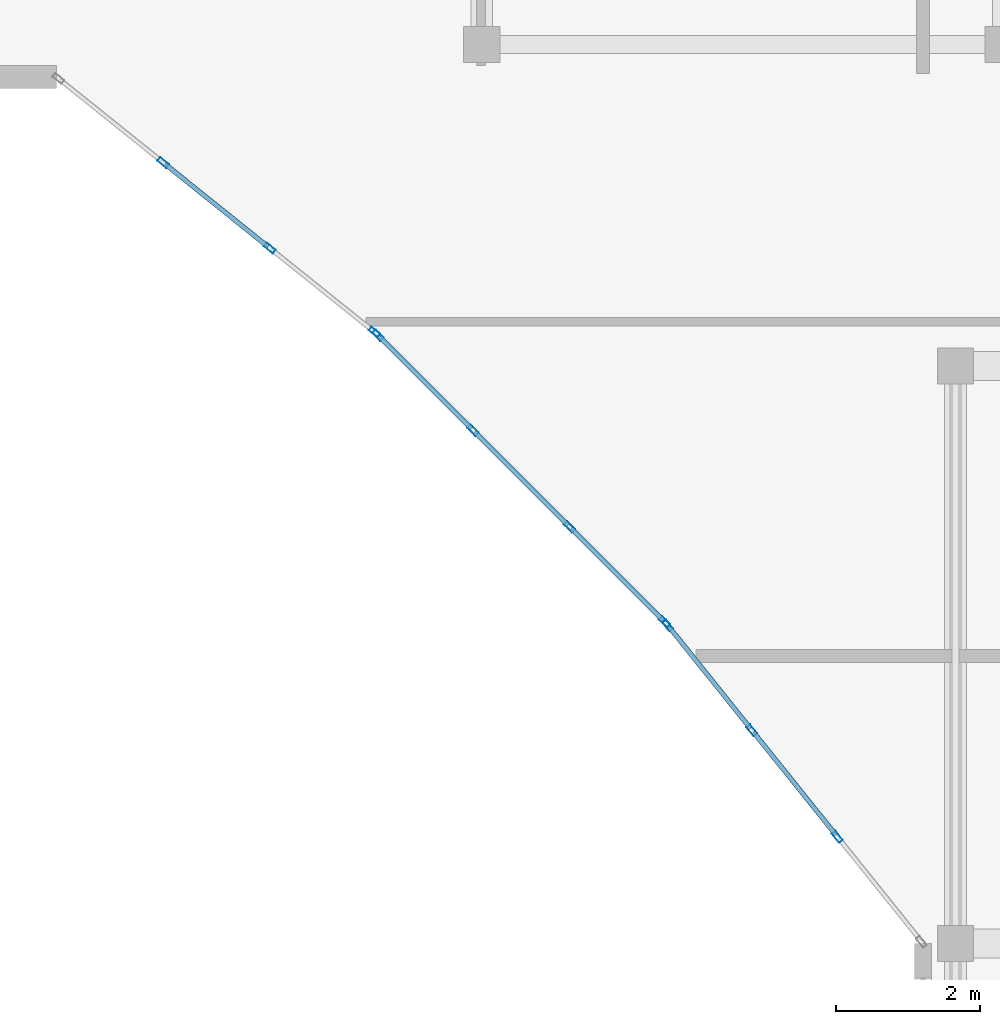
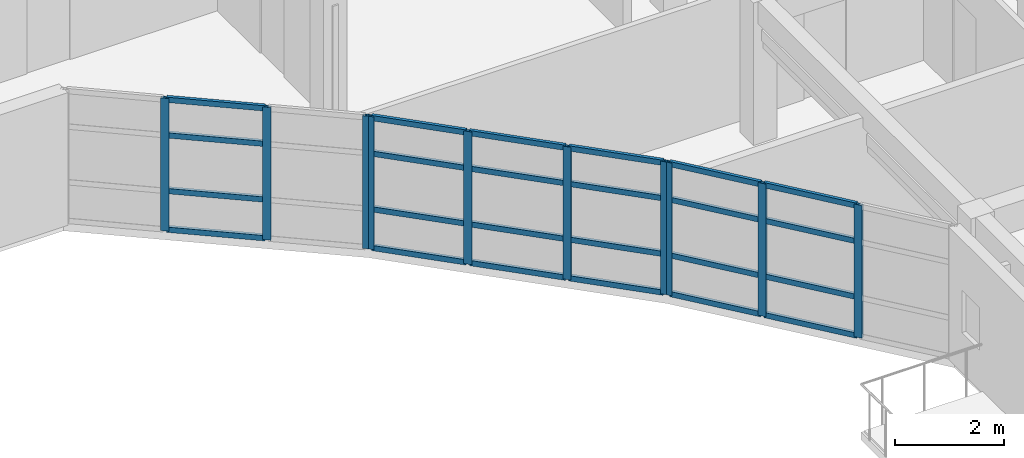
# One storey, part 12 of 39: 34 members, 3 elements without a shape of their own.
"""IFC4 building model written with IfcOpenShell, lengths in metres."""

import ifcopenshell
import ifcopenshell.guid

model = None  # the IFC model being written
_history = None  # IfcOwnerHistory: only IFC2X3 demands one
_inside = {}  # id of a spatial element -> (the spatial element, [elements in it])
_under = {}  # id of a project, library or spatial element -> (it, [spatial elements below it])
_declared = {}  # id of a project -> (the project, [libraries it declares])
_typed = {}  # id of a type object -> (the type object, [elements of that type])
_made_of = {}  # id of a material, layer set ... -> (it, [elements and type objects made of it])


def new_model(schema):
    """Start an empty IFC model of exactly this schema.

    Asked for "IFC4X3", IfcOpenShell would pick the latest addendum, in which some entities
    have other attributes; the version numbers below select the first issue.
    IFC2X3 requires an IfcOwnerHistory on every rooted entity: one is made here for all.
    """
    global model, _history
    if schema == "IFC4X3":
        model = ifcopenshell.file(schema_version=(4, 3, 0, 0))
    else:
        model = ifcopenshell.file(schema=schema)
    _inside.clear()
    _under.clear()
    _declared.clear()
    _typed.clear()
    _made_of.clear()
    _history = None
    if model.schema == "IFC2X3":
        org = make("IfcOrganization", Name="unknown")
        user = make(
            "IfcPersonAndOrganization",
            ThePerson=make("IfcPerson", FamilyName="unknown"),
            TheOrganization=org,
        )
        app = make(
            "IfcApplication",
            ApplicationDeveloper=org,
            Version="unknown",
            ApplicationFullName="unknown",
            ApplicationIdentifier="unknown",
        )
        _history = make(
            "IfcOwnerHistory",
            OwningUser=user,
            OwningApplication=app,
            ChangeAction="ADDED",
            CreationDate=0,
        )
    return model


def make(cls, **values):
    """One entity of the class cls with the attributes given. An attribute that is None is left unset."""
    return model.create_entity(
        cls, **{name: value for name, value in values.items() if value is not None}
    )


def rooted(cls, **values):
    """An entity with a GlobalId (a new one), such as an element, a storey or a relation."""
    return make(cls, GlobalId=ifcopenshell.guid.new(), OwnerHistory=_history, **values)


def si_unit(unit_type, name, prefix=None):
    """IfcSIUnit, for example si_unit("LENGTHUNIT", "METRE", prefix="MILLI")."""
    return make("IfcSIUnit", UnitType=unit_type, Prefix=prefix, Name=name)


def assignment(units):
    """IfcUnitAssignment: the units of a project."""
    return None if units is None else make("IfcUnitAssignment", Units=units)


def point(xyz):
    """IfcCartesianPoint."""
    return None if xyz is None else make("IfcCartesianPoint", Coordinates=xyz)


def direction(xyz):
    """IfcDirection."""
    return None if xyz is None else make("IfcDirection", DirectionRatios=xyz)


def frame(location, z_axis=None, x_axis=None):
    """IfcAxis2Placement3D, a coordinate frame: its origin and axes. An axis left out is left unset."""
    return make(
        "IfcAxis2Placement3D",
        Location=point(location),
        Axis=direction(z_axis),
        RefDirection=direction(x_axis),
    )


def frame_2d(location, x_axis=None):
    """IfcAxis2Placement2D, a coordinate frame in the plane: its origin and x axis."""
    return make(
        "IfcAxis2Placement2D", Location=point(location), RefDirection=direction(x_axis)
    )


def origin():
    """The frame at (0, 0, 0) with its axes left unset."""
    return frame((0.0, 0.0, 0.0))


def origin_2d():
    """The frame at (0, 0) in the plane with its x axis left unset."""
    return frame_2d((0.0, 0.0))


def place(relative_to, where):
    """IfcLocalPlacement: puts the frame where relative to a parent placement (None: the world)."""
    return make(
        "IfcLocalPlacement", PlacementRelTo=relative_to, RelativePlacement=where
    )


def context(
    kind, dimensions, precision=None, world=None, true_north=None, identifier=None
):
    """IfcGeometricRepresentationContext, for example the 3D "Model" context."""
    return make(
        "IfcGeometricRepresentationContext",
        ContextIdentifier=identifier,
        ContextType=kind,
        CoordinateSpaceDimension=dimensions,
        Precision=precision,
        WorldCoordinateSystem=world,
        TrueNorth=true_north,
    )


def subcontext(parent, identifier, kind, view, scale=None):
    """IfcGeometricRepresentationSubContext, for example "Body" below "Model"."""
    return make(
        "IfcGeometricRepresentationSubContext",
        ContextIdentifier=identifier,
        ContextType=kind,
        ParentContext=parent,
        TargetScale=scale,
        TargetView=view,
    )


def project(units=None, contexts=None):
    """IfcProject with its units and contexts."""
    return rooted(
        "IfcProject",
        Name="project",
        RepresentationContexts=contexts,
        UnitsInContext=assignment(units),
    )


def spatial(cls, under=None, at=None, **own):
    """A site, building, storey or space (cls), placed at a placement, below another one or the project."""
    s = rooted(cls, ObjectPlacement=at, **own)
    if under is not None:
        _under.setdefault(under.id(), (under, []))[1].append(s)
    return s


def profile(cls, at=None, kind="AREA", **sizes):
    """A parametric profile (cls). Its sizes go by their IFC names, for example OverallWidth=200.0."""
    return make(cls, ProfileType=kind, Position=at, **sizes)


def hollow_rectangle(**sizes):
    """IfcRectangleHollowProfileDef."""
    return profile("IfcRectangleHollowProfileDef", **sizes)


def extrude(swept, where, along, depth):
    """IfcExtrudedAreaSolid: the profile swept, set in the frame where, extruded along a direction by depth."""
    return make(
        "IfcExtrudedAreaSolid",
        SweptArea=swept,
        Position=where,
        ExtrudedDirection=direction(along),
        Depth=depth,
    )


def shape(context_of_items, identifier, shape_type, items):
    """IfcShapeRepresentation: the items that make up one representation, for example the "Body"."""
    return make(
        "IfcShapeRepresentation",
        ContextOfItems=context_of_items,
        RepresentationIdentifier=identifier,
        RepresentationType=shape_type,
        Items=items,
    )


def material(Name=None, Category=None):
    """IfcMaterial."""
    return make("IfcMaterial", Name=Name, Category=Category)


def layer(
    of_material, thickness, ventilated=None, Name=None, Category=None, Priority=None
):
    """IfcMaterialLayer: one layer of a wall or slab, of a material (None: an air gap)."""
    return make(
        "IfcMaterialLayer",
        Material=of_material,
        LayerThickness=thickness,
        IsVentilated=ventilated,
        Name=Name,
        Category=Category,
        Priority=Priority,
    )


def layer_set(layers, Name=None):
    """IfcMaterialLayerSet."""
    return make("IfcMaterialLayerSet", MaterialLayers=layers, LayerSetName=Name)


def material_profile(
    of_material, cross_section, Name=None, Category=None, Priority=None
):
    """IfcMaterialProfile: a cross section and its material."""
    return make(
        "IfcMaterialProfile",
        Name=Name,
        Material=of_material,
        Profile=cross_section,
        Priority=Priority,
        Category=Category,
    )


def profile_set(profiles, Name=None, composite=None):
    """IfcMaterialProfileSet."""
    return make(
        "IfcMaterialProfileSet",
        Name=Name,
        MaterialProfiles=profiles,
        CompositeProfile=composite,
    )


def made_of(thing, what):
    """Note that an element or type object is made of a material, layer set ...; save() writes the relation."""
    if what is not None:
        _made_of.setdefault(what.id(), (what, []))[1].append(thing)
    return thing


def type_object(cls, material=None, **own):
    """A type object (cls), such as IfcWallType, which elements share."""
    return made_of(rooted(cls, **own), material)


def element(
    cls,
    number,
    at=None,
    inside=None,
    cuts=None,
    type_object=None,
    material=None,
    context=None,
    identifier="Body",
    shape_type=None,
    held_by="IfcProductDefinitionShape",
    body=None,
    shapes=None,
    **own,
):
    """One element of the class cls, such as IfcWall. Its Tag is "e" and its number.

    at: its placement. inside: the storey or other place that contains it. cuts: it is an
    opening in that element (IfcRelVoidsElement). A single representation is given by context,
    identifier, shape_type and body (its items); several are given by shapes. held_by: the class
    of the entity that holds the representations. save() writes the other relations.
    """
    e = rooted(cls, Tag="e%d" % number, ObjectPlacement=at, **own)
    if body is not None:
        shapes = [shape(context, identifier, shape_type, body)]
    if shapes is not None:
        e.Representation = make(held_by, Representations=shapes)
    if inside is not None:
        _inside.setdefault(inside.id(), (inside, []))[1].append(e)
    if cuts is not None:
        rooted(
            "IfcRelVoidsElement", RelatingBuildingElement=cuts, RelatedOpeningElement=e
        )
    if type_object is not None:
        _typed.setdefault(type_object.id(), (type_object, []))[1].append(e)
    return made_of(e, material)


def aggregate(whole, parts):
    """IfcRelAggregates: a whole, such as a stair, and the parts it consists of."""
    return rooted("IfcRelAggregates", RelatingObject=whole, RelatedObjects=parts)


def save(model, path):
    """Write the relations noted so far, then the file.

    IfcRelAggregates (storeys below a building ...), IfcRelContainedInSpatialStructure (elements
    in a storey), IfcRelDefinesByType, IfcRelAssociatesMaterial and IfcRelDeclares: one each for
    every whole, place, type object, material and project.
    """
    for whole, parts in _under.values():
        aggregate(whole, parts)
    for where, things in _inside.values():
        rooted(
            "IfcRelContainedInSpatialStructure",
            RelatedElements=things,
            RelatingStructure=where,
        )
    for kind, things in _typed.values():
        rooted("IfcRelDefinesByType", RelatedObjects=things, RelatingType=kind)
    for what, things in _made_of.values():
        rooted("IfcRelAssociatesMaterial", RelatedObjects=things, RelatingMaterial=what)
    for by, libraries in _declared.values():
        rooted("IfcRelDeclares", RelatingContext=by, RelatedDefinitions=libraries)
    model.write(path)


model = new_model("IFC4")

# Units and contexts
model_context = context("Model", 3, precision=1e-05, world=origin(), true_north=direction((0.0, 1.0)))
body_context = subcontext(model_context, "Body", "Model", "MODEL_VIEW")
ifc_project = project(units=[si_unit("LENGTHUNIT", "METRE"), si_unit("AREAUNIT", "SQUARE_METRE"), si_unit("VOLUMEUNIT", "CUBIC_METRE"), si_unit("PLANEANGLEUNIT", "RADIAN"), si_unit("MASSUNIT", "GRAM", prefix="KILO")], contexts=[model_context])

# Site, building, storey
site_placement = place(None, origin())
site = spatial("IfcSite", under=ifc_project, at=site_placement, CompositionType="ELEMENT")
building_placement = place(site_placement, origin())
building = spatial("IfcBuilding", under=site, at=building_placement, Name="Keldmere Railside Commons", CompositionType="ELEMENT")
storey_placement = place(building_placement, frame((0.0, 0.0, 32.9599609375)))
storey = spatial("IfcBuildingStorey", under=building, at=storey_placement, Name="L10", CompositionType="ELEMENT", Elevation=32.9599609375)

# Curtain wall, members
ifc_material = material(Name="Thermally Broken Aluminium", Category="aluminium")
ifc_layer_1 = layer(ifc_material, 0.159912109375, Name="Court Chord Wintergarden CW 5400x2850")
ifc_layer_set_1 = layer_set([ifc_layer_1], Name="Thermally Broken Aluminium")
curtain_wall_type_1 = type_object("IfcCurtainWallType", Name="Court Chord Wintergarden CW 5400x2850", PredefinedType="NOTDEFINED", material=ifc_layer_set_1)
curtain_wall_1_placement = place(storey_placement, origin())
curtain_wall_1 = element("IfcCurtainWall", 1, at=curtain_wall_1_placement, inside=storey, type_object=curtain_wall_type_1, Name="CW-13 CW-L10-187", PredefinedType="NOTDEFINED")
ifc_material_profile_1 = material_profile(ifc_material, hollow_rectangle(XDim=0.06494140625, YDim=0.159912109375, WallThickness=0.00390625, at=origin_2d()), Name="ALU-MULL-65x160")
ifc_profile_set_1 = profile_set([ifc_material_profile_1], Name="Thermally Broken Aluminium")
member_type_1 = type_object("IfcMemberType", Name="Unitised Curtain Wall Mullion 65x160", PredefinedType="MULLION", material=ifc_profile_set_1)
member_1_placement = place(storey_placement, frame((160.404541015625, 96.46630859375, 0.0), z_axis=(0.0, 0.0, 1.0), x_axis=(-0.625768080915, -0.780009172323, 0.0)))
member_1 = element("IfcMember", 2, at=member_1_placement, type_object=member_type_1, Name="CW-13 mullion 1", PredefinedType="MULLION", context=body_context, shape_type="SweptSolid", body=[
    extrude(hollow_rectangle(XDim=0.06494140625, YDim=0.159912109375, WallThickness=0.00390625, at=origin_2d()), origin(), (0.0, 0.0, 1.0), 2.97998046875),
])
member_2_placement = place(storey_placement, frame((158.953369140625, 97.630615234375, 0.0), z_axis=(0.0, 0.0, 1.0), x_axis=(-0.625768080915, -0.780009172323, 0.0)))
member_2 = element("IfcMember", 3, at=member_2_placement, type_object=member_type_1, Name="CW-13 mullion 2", PredefinedType="MULLION", context=body_context, shape_type="SweptSolid", body=[
    extrude(hollow_rectangle(XDim=0.06494140625, YDim=0.159912109375, WallThickness=0.00390625, at=origin_2d()), origin(), (0.0, 0.0, 1.0), 2.97998046875),
])
member_3_placement = place(storey_placement, frame((157.4765625, 98.8154296875, 0.0), z_axis=(0.0, 0.0, 1.0), x_axis=(-0.625768080915, -0.780009172323, 0.0)))
member_3 = element("IfcMember", 4, at=member_3_placement, type_object=member_type_1, Name="CW-13 mullion 3", PredefinedType="MULLION", context=body_context, shape_type="SweptSolid", body=[
    extrude(hollow_rectangle(XDim=0.06494140625, YDim=0.159912109375, WallThickness=0.00390625, at=origin_2d()), origin(), (0.0, 0.0, 1.0), 2.97998046875),
])

ifc_layer_2 = layer(ifc_material, 0.159912109375, Name="Court Chord Wintergarden CW 4800x2850")
ifc_layer_set_2 = layer_set([ifc_layer_2], Name="Thermally Broken Aluminium")
curtain_wall_type_2 = type_object("IfcCurtainWallType", Name="Court Chord Wintergarden CW 4800x2850", PredefinedType="NOTDEFINED", material=ifc_layer_set_2)
curtain_wall_2_placement = place(storey_placement, origin())
curtain_wall_2 = element("IfcCurtainWall", 5, at=curtain_wall_2_placement, inside=storey, type_object=curtain_wall_type_2, Name="CW-12 CW-L10-188", PredefinedType="NOTDEFINED")
member_4_placement = place(storey_placement, frame((164.423095703125, 92.452880859375, 0.0), z_axis=(0.0, 0.0, 1.0), x_axis=(-0.707106781187, -0.707106781187, 0.0)))
member_4 = element("IfcMember", 6, at=member_4_placement, type_object=member_type_1, Name="CW-12 mullion 1", PredefinedType="MULLION", context=body_context, shape_type="SweptSolid", body=[
    extrude(hollow_rectangle(XDim=0.06494140625, YDim=0.159912109375, WallThickness=0.00390625, at=origin_2d()), origin(), (0.0, 0.0, 1.0), 2.97998046875),
])
member_5_placement = place(storey_placement, frame((163.107421875, 93.7685546875, 0.0), z_axis=(0.0, 0.0, 1.0), x_axis=(-0.707106781187, -0.707106781187, 0.0)))
member_5 = element("IfcMember", 7, at=member_5_placement, type_object=member_type_1, Name="CW-12 mullion 2", PredefinedType="MULLION", context=body_context, shape_type="SweptSolid", body=[
    extrude(hollow_rectangle(XDim=0.06494140625, YDim=0.159912109375, WallThickness=0.00390625, at=origin_2d()), origin(), (0.0, 0.0, 1.0), 2.97998046875),
])
member_6_placement = place(storey_placement, frame((161.7685546875, 95.107421875, 0.0), z_axis=(0.0, 0.0, 1.0), x_axis=(-0.707106781187, -0.707106781187, 0.0)))
member_6 = element("IfcMember", 8, at=member_6_placement, type_object=member_type_1, Name="CW-12 mullion 3", PredefinedType="MULLION", context=body_context, shape_type="SweptSolid", body=[
    extrude(hollow_rectangle(XDim=0.06494140625, YDim=0.159912109375, WallThickness=0.00390625, at=origin_2d()), origin(), (0.0, 0.0, 1.0), 2.97998046875),
])
member_7_placement = place(storey_placement, frame((160.452880859375, 96.423095703125, 0.0), z_axis=(0.0, 0.0, 1.0), x_axis=(-0.707106781187, -0.707106781187, 0.0)))
member_7 = element("IfcMember", 9, at=member_7_placement, type_object=member_type_1, Name="CW-12 mullion 4", PredefinedType="MULLION", context=body_context, shape_type="SweptSolid", body=[
    extrude(hollow_rectangle(XDim=0.06494140625, YDim=0.159912109375, WallThickness=0.00390625, at=origin_2d()), origin(), (0.0, 0.0, 1.0), 2.97998046875),
])

curtain_wall_3_placement = place(storey_placement, origin())
curtain_wall_3 = element("IfcCurtainWall", 10, at=curtain_wall_3_placement, inside=storey, type_object=curtain_wall_type_1, Name="CW-13 CW-L10-189", PredefinedType="NOTDEFINED")
member_8_placement = place(storey_placement, frame((166.8154296875, 89.4765625, 0.0), z_axis=(0.0, 0.0, 1.0), x_axis=(-0.780009172323, -0.625768080915, 0.0)))
member_8 = element("IfcMember", 11, at=member_8_placement, type_object=member_type_1, Name="CW-13 mullion 2", PredefinedType="MULLION", context=body_context, shape_type="SweptSolid", body=[
    extrude(hollow_rectangle(XDim=0.06494140625, YDim=0.159912109375, WallThickness=0.00390625, at=origin_2d()), origin(), (0.0, 0.0, 1.0), 2.97998046875),
])
member_9_placement = place(storey_placement, frame((165.630615234375, 90.953369140625, 0.0), z_axis=(0.0, 0.0, 1.0), x_axis=(-0.780009172323, -0.625768080915, 0.0)))
member_9 = element("IfcMember", 12, at=member_9_placement, type_object=member_type_1, Name="CW-13 mullion 3", PredefinedType="MULLION", context=body_context, shape_type="SweptSolid", body=[
    extrude(hollow_rectangle(XDim=0.06494140625, YDim=0.159912109375, WallThickness=0.00390625, at=origin_2d()), origin(), (0.0, 0.0, 1.0), 2.97998046875),
])
member_10_placement = place(storey_placement, frame((164.46630859375, 92.404541015625, 0.0), z_axis=(0.0, 0.0, 1.0), x_axis=(-0.780009172323, -0.625768080915, 0.0)))
member_10 = element("IfcMember", 13, at=member_10_placement, type_object=member_type_1, Name="CW-13 mullion 4", PredefinedType="MULLION", context=body_context, shape_type="SweptSolid", body=[
    extrude(hollow_rectangle(XDim=0.06494140625, YDim=0.159912109375, WallThickness=0.00390625, at=origin_2d()), origin(), (0.0, 0.0, 1.0), 2.97998046875),
])

# Member
ifc_material_profile_2 = material_profile(ifc_material, hollow_rectangle(XDim=0.06494140625, YDim=0.1201171875, WallThickness=0.00390625, at=origin_2d()), Name="ALU-TRAN-65x120")
ifc_profile_set_2 = profile_set([ifc_material_profile_2], Name="Thermally Broken Aluminium")
member_type_2 = type_object("IfcMemberType", Name="Unitised Curtain Wall Transom 65x120", PredefinedType="USERDEFINED", material=ifc_profile_set_2)
member_11_placement = place(storey_placement, frame((158.927978515625, 97.651123046875, 0.032470703125), z_axis=(-0.78007338409, 0.625688033635, 0.0), x_axis=(-0.625688033635, -0.78007338409, 0.0)))
member_11 = element("IfcMember", 14, at=member_11_placement, type_object=member_type_2, Name="CW-13 transom 2.1", ObjectType="TRANSOM", PredefinedType="USERDEFINED", context=body_context, shape_type="SweptSolid", body=[
    extrude(hollow_rectangle(XDim=0.06494140625, YDim=0.1201171875, WallThickness=0.00390625, at=origin_2d()), origin(), (0.0, 0.0, 1.0), 1.828125),
])

member_12_placement = place(storey_placement, frame((158.927978515625, 97.651123046875, 0.900146484375), z_axis=(-0.78007338409, 0.625688033635, 0.0), x_axis=(-0.625688033635, -0.78007338409, 0.0)))
member_12 = element("IfcMember", 15, at=member_12_placement, type_object=member_type_2, Name="CW-13 transom 2.2", ObjectType="TRANSOM", PredefinedType="USERDEFINED", context=body_context, shape_type="SweptSolid", body=[
    extrude(hollow_rectangle(XDim=0.06494140625, YDim=0.1201171875, WallThickness=0.00390625, at=origin_2d()), origin(), (0.0, 0.0, 1.0), 1.828125),
])

member_13_placement = place(storey_placement, frame((158.927978515625, 97.651123046875, 2.150146484375), z_axis=(-0.78007338409, 0.625688033635, 0.0), x_axis=(-0.625688033635, -0.78007338409, 0.0)))
member_13 = element("IfcMember", 16, at=member_13_placement, type_object=member_type_2, Name="CW-13 transom 2.3", ObjectType="TRANSOM", PredefinedType="USERDEFINED", context=body_context, shape_type="SweptSolid", body=[
    extrude(hollow_rectangle(XDim=0.06494140625, YDim=0.1201171875, WallThickness=0.00390625, at=origin_2d()), origin(), (0.0, 0.0, 1.0), 1.828125),
])

member_14_placement = place(storey_placement, frame((158.927978515625, 97.651123046875, 2.947509765625), z_axis=(-0.78007338409, 0.625688033635, 0.0), x_axis=(-0.625688033635, -0.78007338409, 0.0)))
member_14 = element("IfcMember", 17, at=member_14_placement, type_object=member_type_2, Name="CW-13 transom 2.4", ObjectType="TRANSOM", PredefinedType="USERDEFINED", context=body_context, shape_type="SweptSolid", body=[
    extrude(hollow_rectangle(XDim=0.06494140625, YDim=0.1201171875, WallThickness=0.00390625, at=origin_2d()), origin(), (0.0, 0.0, 1.0), 1.828125),
])

aggregate(curtain_wall_1, [member_1, member_2, member_3, member_11, member_12, member_13, member_14])

member_15_placement = place(storey_placement, frame((164.400146484375, 92.47607421875, 0.032470703125), z_axis=(-0.707174762418, 0.707038793419, 0.0), x_axis=(-0.707038793419, -0.707174762418, 0.0)))
member_15 = element("IfcMember", 18, at=member_15_placement, type_object=member_type_2, Name="CW-12 transom 1.1", ObjectType="TRANSOM", PredefinedType="USERDEFINED", context=body_context, shape_type="SweptSolid", body=[
    extrude(hollow_rectangle(XDim=0.06494140625, YDim=0.1201171875, WallThickness=0.00390625, at=origin_2d()), origin(), (0.0, 0.0, 1.0), 1.795654296875),
])

member_16_placement = place(storey_placement, frame((164.400146484375, 92.47607421875, 0.900146484375), z_axis=(-0.707174762418, 0.707038793419, 0.0), x_axis=(-0.707038793419, -0.707174762418, 0.0)))
member_16 = element("IfcMember", 19, at=member_16_placement, type_object=member_type_2, Name="CW-12 transom 1.2", ObjectType="TRANSOM", PredefinedType="USERDEFINED", context=body_context, shape_type="SweptSolid", body=[
    extrude(hollow_rectangle(XDim=0.06494140625, YDim=0.1201171875, WallThickness=0.00390625, at=origin_2d()), origin(), (0.0, 0.0, 1.0), 1.795654296875),
])

member_17_placement = place(storey_placement, frame((164.400146484375, 92.47607421875, 2.150146484375), z_axis=(-0.707174762418, 0.707038793419, 0.0), x_axis=(-0.707038793419, -0.707174762418, 0.0)))
member_17 = element("IfcMember", 20, at=member_17_placement, type_object=member_type_2, Name="CW-12 transom 1.3", ObjectType="TRANSOM", PredefinedType="USERDEFINED", context=body_context, shape_type="SweptSolid", body=[
    extrude(hollow_rectangle(XDim=0.06494140625, YDim=0.1201171875, WallThickness=0.00390625, at=origin_2d()), origin(), (0.0, 0.0, 1.0), 1.795654296875),
])

member_18_placement = place(storey_placement, frame((164.400146484375, 92.47607421875, 2.947509765625), z_axis=(-0.707174762418, 0.707038793419, 0.0), x_axis=(-0.707038793419, -0.707174762418, 0.0)))
member_18 = element("IfcMember", 21, at=member_18_placement, type_object=member_type_2, Name="CW-12 transom 1.4", ObjectType="TRANSOM", PredefinedType="USERDEFINED", context=body_context, shape_type="SweptSolid", body=[
    extrude(hollow_rectangle(XDim=0.06494140625, YDim=0.1201171875, WallThickness=0.00390625, at=origin_2d()), origin(), (0.0, 0.0, 1.0), 1.795654296875),
])

member_19_placement = place(storey_placement, frame((163.08447265625, 93.791748046875, 0.032470703125), z_axis=(-0.707106781187, 0.707106781187, 0.0), x_axis=(-0.707106781187, -0.707106781187, 0.0)))
member_19 = element("IfcMember", 22, at=member_19_placement, type_object=member_type_2, Name="CW-12 transom 2.1", ObjectType="TRANSOM", PredefinedType="USERDEFINED", context=body_context, shape_type="SweptSolid", body=[
    extrude(hollow_rectangle(XDim=0.06494140625, YDim=0.1201171875, WallThickness=0.00390625, at=origin_2d()), origin(), (0.0, 0.0, 1.0), 1.828125),
])

member_20_placement = place(storey_placement, frame((163.08447265625, 93.791748046875, 0.900146484375), z_axis=(-0.707106781187, 0.707106781187, 0.0), x_axis=(-0.707106781187, -0.707106781187, 0.0)))
member_20 = element("IfcMember", 23, at=member_20_placement, type_object=member_type_2, Name="CW-12 transom 2.2", ObjectType="TRANSOM", PredefinedType="USERDEFINED", context=body_context, shape_type="SweptSolid", body=[
    extrude(hollow_rectangle(XDim=0.06494140625, YDim=0.1201171875, WallThickness=0.00390625, at=origin_2d()), origin(), (0.0, 0.0, 1.0), 1.828125),
])

member_21_placement = place(storey_placement, frame((163.08447265625, 93.791748046875, 2.150146484375), z_axis=(-0.707106781187, 0.707106781187, 0.0), x_axis=(-0.707106781187, -0.707106781187, 0.0)))
member_21 = element("IfcMember", 24, at=member_21_placement, type_object=member_type_2, Name="CW-12 transom 2.3", ObjectType="TRANSOM", PredefinedType="USERDEFINED", context=body_context, shape_type="SweptSolid", body=[
    extrude(hollow_rectangle(XDim=0.06494140625, YDim=0.1201171875, WallThickness=0.00390625, at=origin_2d()), origin(), (0.0, 0.0, 1.0), 1.828125),
])

member_22_placement = place(storey_placement, frame((163.08447265625, 93.791748046875, 2.947509765625), z_axis=(-0.707106781187, 0.707106781187, 0.0), x_axis=(-0.707106781187, -0.707106781187, 0.0)))
member_22 = element("IfcMember", 25, at=member_22_placement, type_object=member_type_2, Name="CW-12 transom 2.4", ObjectType="TRANSOM", PredefinedType="USERDEFINED", context=body_context, shape_type="SweptSolid", body=[
    extrude(hollow_rectangle(XDim=0.06494140625, YDim=0.1201171875, WallThickness=0.00390625, at=origin_2d()), origin(), (0.0, 0.0, 1.0), 1.828125),
])

member_23_placement = place(storey_placement, frame((161.74560546875, 95.13037109375, 0.032470703125), z_axis=(-0.707038793419, 0.707174762418, 0.0), x_axis=(-0.707174762418, -0.707038793419, 0.0)))
member_23 = element("IfcMember", 26, at=member_23_placement, type_object=member_type_2, Name="CW-12 transom 3.1", ObjectType="TRANSOM", PredefinedType="USERDEFINED", context=body_context, shape_type="SweptSolid", body=[
    extrude(hollow_rectangle(XDim=0.06494140625, YDim=0.1201171875, WallThickness=0.00390625, at=origin_2d()), origin(), (0.0, 0.0, 1.0), 1.795654296875),
])

member_24_placement = place(storey_placement, frame((161.74560546875, 95.13037109375, 0.900146484375), z_axis=(-0.707038793419, 0.707174762418, 0.0), x_axis=(-0.707174762418, -0.707038793419, 0.0)))
member_24 = element("IfcMember", 27, at=member_24_placement, type_object=member_type_2, Name="CW-12 transom 3.2", ObjectType="TRANSOM", PredefinedType="USERDEFINED", context=body_context, shape_type="SweptSolid", body=[
    extrude(hollow_rectangle(XDim=0.06494140625, YDim=0.1201171875, WallThickness=0.00390625, at=origin_2d()), origin(), (0.0, 0.0, 1.0), 1.795654296875),
])

member_25_placement = place(storey_placement, frame((161.74560546875, 95.13037109375, 2.150146484375), z_axis=(-0.707038793419, 0.707174762418, 0.0), x_axis=(-0.707174762418, -0.707038793419, 0.0)))
member_25 = element("IfcMember", 28, at=member_25_placement, type_object=member_type_2, Name="CW-12 transom 3.3", ObjectType="TRANSOM", PredefinedType="USERDEFINED", context=body_context, shape_type="SweptSolid", body=[
    extrude(hollow_rectangle(XDim=0.06494140625, YDim=0.1201171875, WallThickness=0.00390625, at=origin_2d()), origin(), (0.0, 0.0, 1.0), 1.795654296875),
])

member_26_placement = place(storey_placement, frame((161.74560546875, 95.13037109375, 2.947509765625), z_axis=(-0.707038793419, 0.707174762418, 0.0), x_axis=(-0.707174762418, -0.707038793419, 0.0)))
member_26 = element("IfcMember", 29, at=member_26_placement, type_object=member_type_2, Name="CW-12 transom 3.4", ObjectType="TRANSOM", PredefinedType="USERDEFINED", context=body_context, shape_type="SweptSolid", body=[
    extrude(hollow_rectangle(XDim=0.06494140625, YDim=0.1201171875, WallThickness=0.00390625, at=origin_2d()), origin(), (0.0, 0.0, 1.0), 1.795654296875),
])

aggregate(curtain_wall_2, [member_4, member_5, member_6, member_7, member_15, member_16, member_17, member_18, member_19, member_20, member_21, member_22, member_23, member_24, member_25, member_26])

member_27_placement = place(storey_placement, frame((166.794921875, 89.501953125, 0.032470703125), z_axis=(-0.625688033635, 0.78007338409, 0.0), x_axis=(-0.78007338409, -0.625688033635, 0.0)))
member_27 = element("IfcMember", 30, at=member_27_placement, type_object=member_type_2, Name="CW-13 transom 2.1", ObjectType="TRANSOM", PredefinedType="USERDEFINED", context=body_context, shape_type="SweptSolid", body=[
    extrude(hollow_rectangle(XDim=0.06494140625, YDim=0.1201171875, WallThickness=0.00390625, at=origin_2d()), origin(), (0.0, 0.0, 1.0), 1.828125),
])

member_28_placement = place(storey_placement, frame((166.794921875, 89.501953125, 0.900146484375), z_axis=(-0.625688033635, 0.78007338409, 0.0), x_axis=(-0.78007338409, -0.625688033635, 0.0)))
member_28 = element("IfcMember", 31, at=member_28_placement, type_object=member_type_2, Name="CW-13 transom 2.2", ObjectType="TRANSOM", PredefinedType="USERDEFINED", context=body_context, shape_type="SweptSolid", body=[
    extrude(hollow_rectangle(XDim=0.06494140625, YDim=0.1201171875, WallThickness=0.00390625, at=origin_2d()), origin(), (0.0, 0.0, 1.0), 1.828125),
])

member_29_placement = place(storey_placement, frame((166.794921875, 89.501953125, 2.150146484375), z_axis=(-0.625688033635, 0.78007338409, 0.0), x_axis=(-0.78007338409, -0.625688033635, 0.0)))
member_29 = element("IfcMember", 32, at=member_29_placement, type_object=member_type_2, Name="CW-13 transom 2.3", ObjectType="TRANSOM", PredefinedType="USERDEFINED", context=body_context, shape_type="SweptSolid", body=[
    extrude(hollow_rectangle(XDim=0.06494140625, YDim=0.1201171875, WallThickness=0.00390625, at=origin_2d()), origin(), (0.0, 0.0, 1.0), 1.828125),
])

member_30_placement = place(storey_placement, frame((166.794921875, 89.501953125, 2.947509765625), z_axis=(-0.625688033635, 0.78007338409, 0.0), x_axis=(-0.78007338409, -0.625688033635, 0.0)))
member_30 = element("IfcMember", 33, at=member_30_placement, type_object=member_type_2, Name="CW-13 transom 2.4", ObjectType="TRANSOM", PredefinedType="USERDEFINED", context=body_context, shape_type="SweptSolid", body=[
    extrude(hollow_rectangle(XDim=0.06494140625, YDim=0.1201171875, WallThickness=0.00390625, at=origin_2d()), origin(), (0.0, 0.0, 1.0), 1.828125),
])

member_31_placement = place(storey_placement, frame((165.6103515625, 90.978759765625, 0.032470703125), z_axis=(-0.625805275091, 0.779979331565, 0.0), x_axis=(-0.779979331565, -0.625805275091, 0.0)))
member_31 = element("IfcMember", 34, at=member_31_placement, type_object=member_type_2, Name="CW-13 transom 3.1", ObjectType="TRANSOM", PredefinedType="USERDEFINED", context=body_context, shape_type="SweptSolid", body=[
    extrude(hollow_rectangle(XDim=0.06494140625, YDim=0.1201171875, WallThickness=0.00390625, at=origin_2d()), origin(), (0.0, 0.0, 1.0), 1.795654296875),
])

member_32_placement = place(storey_placement, frame((165.6103515625, 90.978759765625, 0.900146484375), z_axis=(-0.625805275091, 0.779979331565, 0.0), x_axis=(-0.779979331565, -0.625805275091, 0.0)))
member_32 = element("IfcMember", 35, at=member_32_placement, type_object=member_type_2, Name="CW-13 transom 3.2", ObjectType="TRANSOM", PredefinedType="USERDEFINED", context=body_context, shape_type="SweptSolid", body=[
    extrude(hollow_rectangle(XDim=0.06494140625, YDim=0.1201171875, WallThickness=0.00390625, at=origin_2d()), origin(), (0.0, 0.0, 1.0), 1.795654296875),
])

member_33_placement = place(storey_placement, frame((165.6103515625, 90.978759765625, 2.150146484375), z_axis=(-0.625805275091, 0.779979331565, 0.0), x_axis=(-0.779979331565, -0.625805275091, 0.0)))
member_33 = element("IfcMember", 36, at=member_33_placement, type_object=member_type_2, Name="CW-13 transom 3.3", ObjectType="TRANSOM", PredefinedType="USERDEFINED", context=body_context, shape_type="SweptSolid", body=[
    extrude(hollow_rectangle(XDim=0.06494140625, YDim=0.1201171875, WallThickness=0.00390625, at=origin_2d()), origin(), (0.0, 0.0, 1.0), 1.795654296875),
])

member_34_placement = place(storey_placement, frame((165.6103515625, 90.978759765625, 2.947509765625), z_axis=(-0.625805275091, 0.779979331565, 0.0), x_axis=(-0.779979331565, -0.625805275091, 0.0)))
member_34 = element("IfcMember", 37, at=member_34_placement, type_object=member_type_2, Name="CW-13 transom 3.4", ObjectType="TRANSOM", PredefinedType="USERDEFINED", context=body_context, shape_type="SweptSolid", body=[
    extrude(hollow_rectangle(XDim=0.06494140625, YDim=0.1201171875, WallThickness=0.00390625, at=origin_2d()), origin(), (0.0, 0.0, 1.0), 1.795654296875),
])

aggregate(curtain_wall_3, [member_8, member_9, member_10, member_27, member_28, member_29, member_30, member_31, member_32, member_33, member_34])

save(model, "model.ifc")
